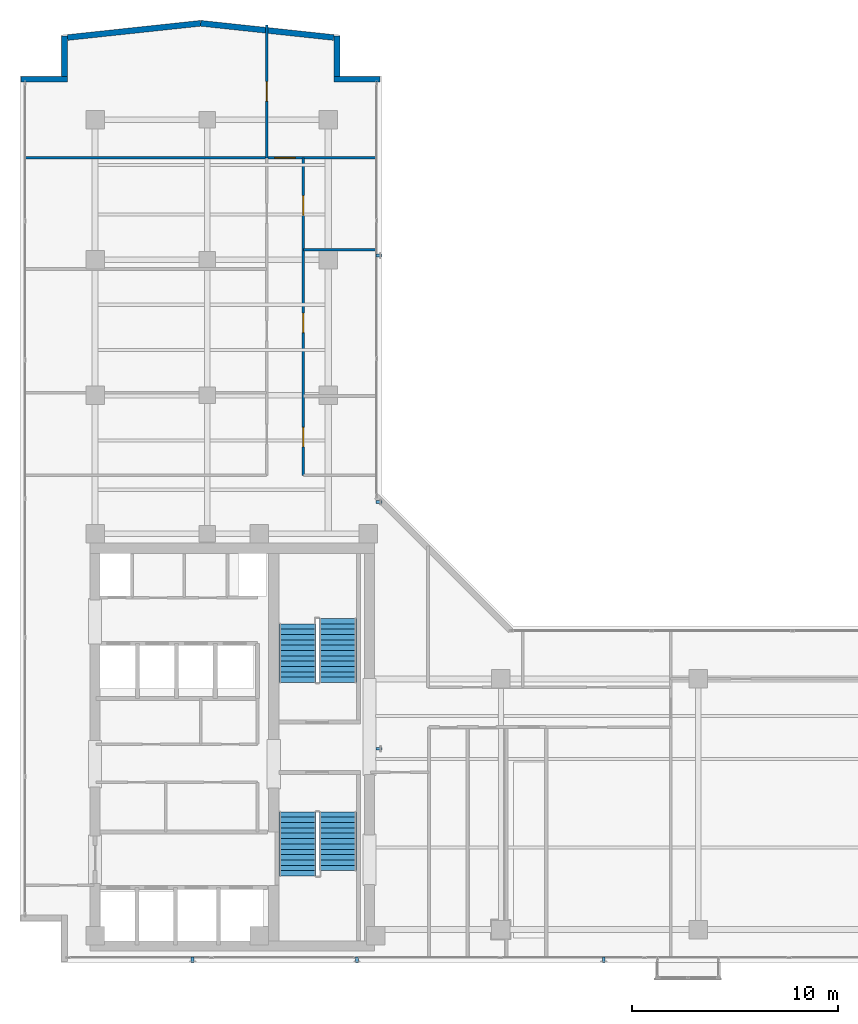
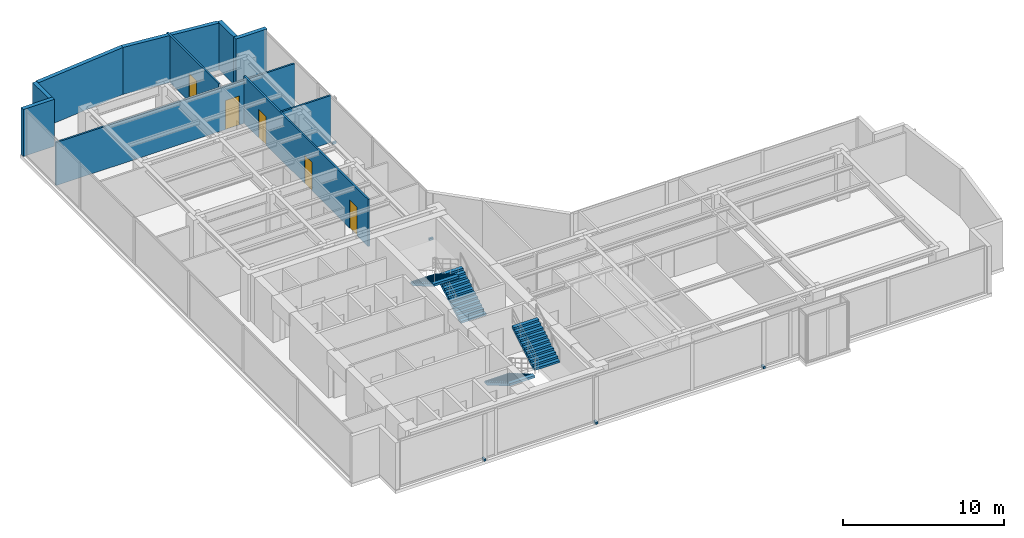
# One storey, part 19 of 23: 10 walls, 6 discrete accessories, 5 doors, 4 stair flights, 5 openings, 2 elements without a shape of their own.
"""IFC4 building model written with IfcOpenShell, lengths in metres."""

from ifc_helpers import new_model, si_unit, direction, frame, frame_2d, origin, origin_with_axes, origin_2d, place, context, subcontext, project, spatial, polyline, rectangle, outline, extrude, source, transform, mapped, material, layer, layer_set, type_object, element, fill, aggregate, save


model = new_model("IFC4")

# Units and contexts
model_context = context("Model", 3, precision=1e-05, world=origin(), true_north=direction((0.0, 1.0)))
body_context = subcontext(model_context, "Body", "Model", "MODEL_VIEW")
ifc_project = project(units=[si_unit("LENGTHUNIT", "METRE"), si_unit("AREAUNIT", "SQUARE_METRE"), si_unit("VOLUMEUNIT", "CUBIC_METRE"), si_unit("PLANEANGLEUNIT", "RADIAN"), si_unit("MASSUNIT", "GRAM", prefix="KILO")], contexts=[model_context])

# Site, building, storey
site_placement = place(None, origin())
site = spatial("IfcSite", under=ifc_project, at=site_placement, CompositionType="ELEMENT")
building_placement = place(site_placement, origin())
building = spatial("IfcBuilding", under=site, at=building_placement, Name="Kolvaren Waterfront Exchange", CompositionType="ELEMENT")
storey_placement = place(building_placement, frame((0.0, 0.0, 270.39990234375)))
storey = spatial("IfcBuildingStorey", under=building, at=storey_placement, Name="L69", CompositionType="ELEMENT", Elevation=270.39990234375)

# Walls
ifc_material_1 = material(Name="Precast concrete C40/50", Category="concrete")
ifc_layer_1 = layer(ifc_material_1, 0.280029296875, Name="Precast concrete C40/50")
ifc_layer_set_1 = layer_set([ifc_layer_1], Name="Precast concrete C40/50")
wall_type_1 = type_object("IfcWallType", Name="ARC-EXT-TERR-280", PredefinedType="SOLIDWALL", material=ifc_layer_set_1)
wall_1_placement = place(storey_placement, frame((19.078857421875, 46.56640625, 0.0), z_axis=(0.0, 0.0, 1.0), x_axis=(1.0, 0.0, 0.0)))
element("IfcWall", 1, at=wall_1_placement, inside=storey, type_object=wall_type_1, Name="L69 notched corner spandrel pier NNE-A", PredefinedType="SOLIDWALL", context=body_context, shape_type="SweptSolid", body=[
    extrude(rectangle(XDim=2.239990234375, YDim=0.280029296875, at=frame_2d((1.1201171875, 0.0))), origin(), (0.0, 0.0, 1.0), 3.56005859375),
])
wall_2_placement = place(storey_placement, frame((19.218994140625, 46.706298828125, 0.0), z_axis=(0.0, 0.0, 1.0), x_axis=(0.0, 1.0, 0.0)))
element("IfcWall", 2, at=wall_2_placement, inside=storey, type_object=wall_type_1, Name="L69 notched corner spandrel pier NNE-B", PredefinedType="SOLIDWALL", context=body_context, shape_type="SweptSolid", body=[
    extrude(rectangle(XDim=1.9599609375, YDim=0.280029296875, at=frame_2d((0.97998046875, 0.0))), origin(), (0.0, 0.0, 1.0), 3.56005859375),
])
wall_3_placement = place(storey_placement, frame((3.860107421875, 46.56640625, 0.0), z_axis=(0.0, 0.0, 1.0), x_axis=(1.0, 0.0, 0.0)))
element("IfcWall", 3, at=wall_3_placement, inside=storey, type_object=wall_type_1, Name="L69 notched corner spandrel pier NW-A", PredefinedType="SOLIDWALL", context=body_context, shape_type="SweptSolid", body=[
    extrude(rectangle(XDim=2.239990234375, YDim=0.280029296875, at=frame_2d((1.1201171875, 0.0))), origin(), (0.0, 0.0, 1.0), 3.56005859375),
])
wall_4_placement = place(storey_placement, frame((5.9599609375, 46.706298828125, 0.0), z_axis=(0.0, 0.0, 1.0), x_axis=(0.0, 1.0, 0.0)))
element("IfcWall", 4, at=wall_4_placement, inside=storey, type_object=wall_type_1, Name="L69 notched corner spandrel pier NW-B", PredefinedType="SOLIDWALL", context=body_context, shape_type="SweptSolid", body=[
    extrude(rectangle(XDim=1.9599609375, YDim=0.280029296875, at=frame_2d((0.97998046875, 0.0))), origin(), (0.0, 0.0, 1.0), 3.56005859375),
])
wall_5_placement = place(storey_placement, frame((19.063720703125, 48.59912109375, 0.0), z_axis=(0.0, 0.0, 1.0), x_axis=(-0.994325178593, 0.106383453672, 0.0)))
element("IfcWall", 5, at=wall_5_placement, inside=storey, type_object=wall_type_1, Name="L69 north prow faceted facade wall 1", PredefinedType="SOLIDWALL", context=body_context, shape_type="SweptSolid", body=[
    extrude(rectangle(XDim=6.50830078125, YDim=0.280029296875, at=frame_2d((3.254150390625, 0.0))), origin(), (0.0, 0.0, 1.0), 3.56005859375),
])
wall_6_placement = place(storey_placement, frame((12.58642578125, 49.29150390625, 0.0), z_axis=(0.0, 0.0, 1.0), x_axis=(-0.994324754032, -0.106387421808, 0.0)))
element("IfcWall", 6, at=wall_6_placement, inside=storey, type_object=wall_type_1, Name="L69 north prow faceted facade wall 2", PredefinedType="SOLIDWALL", context=body_context, shape_type="SweptSolid", body=[
    extrude(rectangle(XDim=6.508056640625, YDim=0.280029296875, at=frame_2d((3.25390625, 0.0))), origin(), (0.0, 0.0, 1.0), 3.56005859375),
])

# Wall, opening, door
ifc_material_2 = material(Name="Acoustic gypsum steel stud", Category="steel")
ifc_layer_2 = layer(ifc_material_2, 0.125, Name="Acoustic gypsum steel stud")
ifc_layer_set_2 = layer_set([ifc_layer_2], Name="Acoustic gypsum steel stud")
wall_type_2 = type_object("IfcWallType", Name="ARC-PART-125", PredefinedType="PARTITIONING", material=ifc_layer_set_2)
wall_7_placement = place(storey_placement, frame((4.0400390625, 42.75, 0.0), z_axis=(0.0, 0.0, 1.0), x_axis=(1.0, 0.0, 0.0)))
wall_7 = element("IfcWall", 7, at=wall_7_placement, inside=storey, type_object=wall_type_2, Name="L69 interior wall PW-L69-NTIP-S", PredefinedType="PARTITIONING", context=body_context, shape_type="SweptSolid", body=[
    extrude(rectangle(XDim=17.119873046875, YDim=0.125, at=frame_2d((8.56005859375, 0.0))), origin(), (0.0, 0.0, 1.0), 3.260009765625),
])
opening_1_placement = place(wall_7_placement, frame((12.14990234375, 0.0, 0.0)))
opening_1 = element("IfcOpeningElement", 8, at=opening_1_placement, cuts=wall_7, Name="Opening D03", PredefinedType="OPENING", context=body_context, shape_type="SweptSolid", body=[
    extrude(rectangle(XDim=1.0, YDim=2.199951171875, at=frame_2d((0.5, 1.10009765625))), frame((0.0, 0.072509765625, 0.0), z_axis=(0.0, -1.0, 0.0), x_axis=(1.0, 0.0, 0.0)), (0.0, 0.0, 1.0), 0.14501953125),
])
ifc_material_3 = material(Name="Oak veneer accessible timber", Category="wood")
door_type_1 = type_object("IfcDoorType", Name="ARC-DR-1000", OperationType="NOTDEFINED", PredefinedType="DOOR", material=ifc_material_3)
door_1_placement = place(opening_1_placement, origin())
door_1 = element("IfcDoor", 9, at=door_1_placement, inside=storey, type_object=door_type_1, Name="L69 door DR-L69-NTIPE-D (D03)", OperationType="SINGLE_SWING_RIGHT", OverallHeight=2.199951171875, OverallWidth=1.0, PredefinedType="DOOR", context=body_context, shape_type="SweptSolid", body=[
    extrude(rectangle(XDim=1.0, YDim=2.199951171875, at=frame_2d((0.5, 1.10009765625))), frame((0.0, 0.02490234375, 0.0), z_axis=(0.0, -1.0, 0.0), x_axis=(1.0, 0.0, 0.0)), (0.0, 0.0, 1.0), 0.050048828125),
])
fill(opening_1, door_1)

wall_8_placement = place(storey_placement, frame((15.800048828125, 42.75, 0.0), z_axis=(0.0, 0.0, 1.0), x_axis=(0.0, 1.0, 0.0)))
wall_8 = element("IfcWall", 10, at=wall_8_placement, inside=storey, type_object=wall_type_2, Name="L69 interior wall PW-L69-NTIP-DIV", PredefinedType="PARTITIONING", context=body_context, shape_type="SweptSolid", body=[
    extrude(rectangle(XDim=6.462646484375, YDim=0.125, at=frame_2d((3.2314453125, 0.0))), origin(), (0.0, 0.0, 1.0), 3.56005859375),
])
opening_2_placement = place(wall_8_placement, frame((2.751220703125, 0.0, 0.0)))
opening_2 = element("IfcOpeningElement", 11, at=opening_2_placement, cuts=wall_8, Name="Opening D02", PredefinedType="OPENING", context=body_context, shape_type="SweptSolid", body=[
    extrude(rectangle(XDim=0.949951171875, YDim=2.14990234375, at=frame_2d((0.47509765625, 1.074951171875))), frame((0.0, 0.072509765625, 0.0), z_axis=(0.0, -1.0, 0.0), x_axis=(1.0, 0.0, 0.0)), (0.0, 0.0, 1.0), 0.14501953125),
])
ifc_material_4 = material(Name="Oak veneer acoustic timber", Category="wood")
door_type_2 = type_object("IfcDoorType", Name="ARC-DR-950", OperationType="NOTDEFINED", PredefinedType="DOOR", material=ifc_material_4)
door_2_placement = place(opening_2_placement, origin())
door_2 = element("IfcDoor", 12, at=door_2_placement, inside=storey, type_object=door_type_2, Name="L69 door DR-L69-NTIPW-D (D02)", OperationType="SINGLE_SWING_LEFT", OverallHeight=2.14990234375, OverallWidth=0.949951171875, PredefinedType="DOOR", context=body_context, shape_type="SweptSolid", body=[
    extrude(rectangle(XDim=0.949951171875, YDim=2.14990234375, at=frame_2d((0.47509765625, 1.074951171875))), frame((0.0, 0.02490234375, 0.0), z_axis=(0.0, -1.0, 0.0), x_axis=(1.0, 0.0, 0.0)), (0.0, 0.0, 1.0), 0.050048828125),
])
fill(opening_2, door_2)

# Wall, openings, doors
wall_9_placement = place(storey_placement, frame((17.580078125, 27.300048828125, 0.0), z_axis=(0.0, 0.0, 1.0), x_axis=(0.0, 1.0, 0.0)))
wall_9 = element("IfcWall", 13, at=wall_9_placement, inside=storey, type_object=wall_type_2, Name="L69 interior wall PW-L69-NE-CORR", PredefinedType="PARTITIONING", context=body_context, shape_type="SweptSolid", body=[
    extrude(rectangle(XDim=15.449951171875, YDim=0.125, at=frame_2d((7.72509765625, 0.0))), origin(), (0.0, 0.0, 1.0), 3.56005859375),
])
opening_3_placement = place(wall_9_placement, frame((1.384765625, 0.0, 0.0)))
opening_3 = element("IfcOpeningElement", 14, at=opening_3_placement, cuts=wall_9, Name="Opening D02", PredefinedType="OPENING", context=body_context, shape_type="SweptSolid", body=[
    extrude(rectangle(XDim=0.949951171875, YDim=2.14990234375, at=frame_2d((0.47509765625, 1.074951171875))), frame((0.0, 0.072509765625, 0.0), z_axis=(0.0, -1.0, 0.0), x_axis=(1.0, 0.0, 0.0)), (0.0, 0.0, 1.0), 0.14501953125),
])
opening_4_placement = place(wall_9_placement, frame((6.93994140625, 0.0, 0.0)))
opening_4 = element("IfcOpeningElement", 15, at=opening_4_placement, cuts=wall_9, Name="Opening D02", PredefinedType="OPENING", context=body_context, shape_type="SweptSolid", body=[
    extrude(rectangle(XDim=0.949951171875, YDim=2.14990234375, at=frame_2d((0.47509765625, 1.074951171875))), frame((0.0, 0.072509765625, 0.0), z_axis=(0.0, -1.0, 0.0), x_axis=(1.0, 0.0, 0.0)), (0.0, 0.0, 1.0), 0.14501953125),
])
opening_5_placement = place(wall_9_placement, frame((12.6630859375, 0.0, 0.0)))
opening_5 = element("IfcOpeningElement", 16, at=opening_5_placement, cuts=wall_9, Name="Opening D02", PredefinedType="OPENING", context=body_context, shape_type="SweptSolid", body=[
    extrude(rectangle(XDim=0.949951171875, YDim=2.14990234375, at=frame_2d((0.47509765625, 1.074951171875))), frame((0.0, 0.072509765625, 0.0), z_axis=(0.0, -1.0, 0.0), x_axis=(1.0, 0.0, 0.0)), (0.0, 0.0, 1.0), 0.14501953125),
])
door_3_placement = place(opening_3_placement, origin())
door_3 = element("IfcDoor", 17, at=door_3_placement, inside=storey, type_object=door_type_2, Name="L69 door DR-L69-NE-D-1 (D02)", OperationType="SINGLE_SWING_RIGHT", OverallHeight=2.14990234375, OverallWidth=0.949951171875, PredefinedType="DOOR", context=body_context, shape_type="SweptSolid", body=[
    extrude(rectangle(XDim=0.949951171875, YDim=2.14990234375, at=frame_2d((0.47509765625, 1.074951171875))), frame((0.0, 0.02490234375, 0.0), z_axis=(0.0, -1.0, 0.0), x_axis=(1.0, 0.0, 0.0)), (0.0, 0.0, 1.0), 0.050048828125),
])
fill(opening_3, door_3)
door_4_placement = place(opening_4_placement, origin())
door_4 = element("IfcDoor", 18, at=door_4_placement, inside=storey, type_object=door_type_2, Name="L69 door DR-L69-NE-D-2 (D02)", OperationType="SINGLE_SWING_LEFT", OverallHeight=2.14990234375, OverallWidth=0.949951171875, PredefinedType="DOOR", context=body_context, shape_type="SweptSolid", body=[
    extrude(rectangle(XDim=0.949951171875, YDim=2.14990234375, at=frame_2d((0.47509765625, 1.074951171875))), frame((0.0, 0.02490234375, 0.0), z_axis=(0.0, -1.0, 0.0), x_axis=(1.0, 0.0, 0.0)), (0.0, 0.0, 1.0), 0.050048828125),
])
fill(opening_4, door_4)
door_5_placement = place(opening_5_placement, origin())
door_5 = element("IfcDoor", 19, at=door_5_placement, inside=storey, type_object=door_type_2, Name="L69 door DR-L69-NE-D-3 (D02)", OperationType="SINGLE_SWING_RIGHT", OverallHeight=2.14990234375, OverallWidth=0.949951171875, PredefinedType="DOOR", context=body_context, shape_type="SweptSolid", body=[
    extrude(rectangle(XDim=0.949951171875, YDim=2.14990234375, at=frame_2d((0.47509765625, 1.074951171875))), frame((0.0, 0.02490234375, 0.0), z_axis=(0.0, -1.0, 0.0), x_axis=(1.0, 0.0, 0.0)), (0.0, 0.0, 1.0), 0.050048828125),
])
fill(opening_5, door_5)

# Wall
wall_10_placement = place(storey_placement, frame((17.580078125, 38.27001953125, 0.0), z_axis=(0.0, 0.0, 1.0), x_axis=(1.0, 0.0, 0.0)))
element("IfcWall", 20, at=wall_10_placement, inside=storey, type_object=wall_type_2, Name="L69 interior wall PW-L69-NE-DIV-2", PredefinedType="PARTITIONING", context=body_context, shape_type="SweptSolid", body=[
    extrude(rectangle(XDim=3.579833984375, YDim=0.125, at=frame_2d((1.7900390625, 0.0))), origin(), (0.0, 0.0, 1.0), 3.56005859375),
])

# Stair, stair flights
ifc_material_5 = material(Name="Concrete C40/50", Category="concrete")
stair_type = type_object("IfcStairType", Name="ARC-STAIR-3800", PredefinedType="HALF_TURN_STAIR", material=ifc_material_5)
stair_1_placement = place(storey_placement, origin())
stair_1 = element("IfcStair", 21, at=stair_1_placement, inside=storey, type_object=stair_type, Name="L69 Smoke-proof exit stair ST1", PredefinedType="HALF_TURN_STAIR")
stair_flight_type = type_object("IfcStairFlightType", Name="ARC-FLIGHT-3800", PredefinedType="STRAIGHT", material=ifc_material_5)
stair_flight_1_placement = place(storey_placement, frame((17.300048828125, 10.929931640625, 0.0), z_axis=(0.0, 0.0, 1.0), x_axis=(0.0, -1.0, 0.0)))
stair_flight_1 = element("IfcStairFlight", 22, at=stair_flight_1_placement, type_object=stair_flight_type, Name="ST1 flight 1", NumberOfRisers=13, NumberOfTreads=12, PredefinedType="STRAIGHT", RiserHeight=0.152, TreadLength=0.26, context=body_context, shape_type="SweptSolid", body=[
    extrude(outline(polyline([(0.0, 0.0), (0.0, 0.152099609375), (0.260009765625, 0.152099609375), (0.260009765625, 0.303955078125), (0.52001953125, 0.303955078125), (0.52001953125, 0.4560546875), (0.780029296875, 0.4560546875), (0.780029296875, 0.60791015625), (1.0400390625, 0.60791015625), (1.0400390625, 0.760009765625), (1.300048828125, 0.760009765625), (1.300048828125, 0.912109375), (1.56005859375, 0.912109375), (1.56005859375, 1.06396484375), (1.820068359375, 1.06396484375), (1.820068359375, 1.216064453125), (2.080078125, 1.216064453125), (2.080078125, 1.367919921875), (2.340087890625, 1.367919921875), (2.340087890625, 1.52001953125), (2.60009765625, 1.52001953125), (2.60009765625, 1.672119140625), (2.860107421875, 1.672119140625), (2.860107421875, 1.823974609375), (3.1201171875, 1.823974609375), (3.1201171875, 1.97607421875), (3.1201171875, 1.650390625), (0.297119140625, 0.0), (0.0, 0.0)])), frame((0.0, 0.89990234375, 0.0), z_axis=(0.0, -1.0, 0.0), x_axis=(1.0, 0.0, 0.0)), (0.0, 0.0, 1.0), 1.800048828125),
])
stair_flight_2_placement = place(storey_placement, frame((19.260009765625, 8.070068359375, 1.97607421875), z_axis=(0.0, 0.0, 1.0), x_axis=(0.0, 1.0, 0.0)))
stair_flight_2 = element("IfcStairFlight", 23, at=stair_flight_2_placement, type_object=stair_flight_type, Name="ST1 flight 2", NumberOfRisers=12, NumberOfTreads=11, PredefinedType="STRAIGHT", RiserHeight=0.152, TreadLength=0.26, context=body_context, shape_type="SweptSolid", body=[
    extrude(outline(polyline([(0.0, 0.0), (0.0, 0.152099609375), (0.260009765625, 0.152099609375), (0.260009765625, 0.303955078125), (0.52001953125, 0.303955078125), (0.52001953125, 0.4560546875), (0.780029296875, 0.4560546875), (0.780029296875, 0.60791015625), (1.0400390625, 0.60791015625), (1.0400390625, 0.760009765625), (1.300048828125, 0.760009765625), (1.300048828125, 0.912109375), (1.56005859375, 0.912109375), (1.56005859375, 1.06396484375), (1.820068359375, 1.06396484375), (1.820068359375, 1.216064453125), (2.080078125, 1.216064453125), (2.080078125, 1.367919921875), (2.340087890625, 1.367919921875), (2.340087890625, 1.52001953125), (2.60009765625, 1.52001953125), (2.60009765625, 1.672119140625), (2.860107421875, 1.672119140625), (2.860107421875, 1.823974609375), (2.860107421875, 1.498291015625), (0.297119140625, 0.0), (0.0, 0.0)])), frame((0.0, 0.89990234375, 0.0), z_axis=(0.0, -1.0, 0.0), x_axis=(1.0, 0.0, 0.0)), (0.0, 0.0, 1.0), 1.800048828125),
])
aggregate(stair_1, [stair_flight_1, stair_flight_2])

stair_2_placement = place(storey_placement, origin())
stair_2 = element("IfcStair", 24, at=stair_2_placement, inside=storey, type_object=stair_type, Name="L69 Smoke-proof exit stair ST2", PredefinedType="HALF_TURN_STAIR")
stair_flight_3_placement = place(storey_placement, frame((19.260009765625, 17.219970703125, 0.0), z_axis=(0.0, 0.0, 1.0), x_axis=(0.0, 1.0, 0.0)))
stair_flight_3 = element("IfcStairFlight", 25, at=stair_flight_3_placement, type_object=stair_flight_type, Name="ST2 flight 1", NumberOfRisers=13, NumberOfTreads=12, PredefinedType="STRAIGHT", RiserHeight=0.152, TreadLength=0.26, context=body_context, shape_type="SweptSolid", body=[
    extrude(outline(polyline([(0.0, 0.0), (0.0, 0.152099609375), (0.260009765625, 0.152099609375), (0.260009765625, 0.303955078125), (0.52001953125, 0.303955078125), (0.52001953125, 0.4560546875), (0.780029296875, 0.4560546875), (0.780029296875, 0.60791015625), (1.0400390625, 0.60791015625), (1.0400390625, 0.760009765625), (1.300048828125, 0.760009765625), (1.300048828125, 0.912109375), (1.56005859375, 0.912109375), (1.56005859375, 1.06396484375), (1.820068359375, 1.06396484375), (1.820068359375, 1.216064453125), (2.080078125, 1.216064453125), (2.080078125, 1.367919921875), (2.340087890625, 1.367919921875), (2.340087890625, 1.52001953125), (2.60009765625, 1.52001953125), (2.60009765625, 1.672119140625), (2.860107421875, 1.672119140625), (2.860107421875, 1.823974609375), (3.1201171875, 1.823974609375), (3.1201171875, 1.97607421875), (3.1201171875, 1.650390625), (0.297119140625, 0.0), (0.0, 0.0)])), frame((0.0, 0.89990234375, 0.0), z_axis=(0.0, -1.0, 0.0), x_axis=(1.0, 0.0, 0.0)), (0.0, 0.0, 1.0), 1.800048828125),
])
stair_flight_4_placement = place(storey_placement, frame((17.300048828125, 20.080078125, 1.97607421875), z_axis=(0.0, 0.0, 1.0), x_axis=(0.0, -1.0, 0.0)))
stair_flight_4 = element("IfcStairFlight", 26, at=stair_flight_4_placement, type_object=stair_flight_type, Name="ST2 flight 2", NumberOfRisers=12, NumberOfTreads=11, PredefinedType="STRAIGHT", RiserHeight=0.152, TreadLength=0.26, context=body_context, shape_type="SweptSolid", body=[
    extrude(outline(polyline([(0.0, 0.0), (0.0, 0.152099609375), (0.260009765625, 0.152099609375), (0.260009765625, 0.303955078125), (0.52001953125, 0.303955078125), (0.52001953125, 0.4560546875), (0.780029296875, 0.4560546875), (0.780029296875, 0.60791015625), (1.0400390625, 0.60791015625), (1.0400390625, 0.760009765625), (1.300048828125, 0.760009765625), (1.300048828125, 0.912109375), (1.56005859375, 0.912109375), (1.56005859375, 1.06396484375), (1.820068359375, 1.06396484375), (1.820068359375, 1.216064453125), (2.080078125, 1.216064453125), (2.080078125, 1.367919921875), (2.340087890625, 1.367919921875), (2.340087890625, 1.52001953125), (2.60009765625, 1.52001953125), (2.60009765625, 1.672119140625), (2.860107421875, 1.672119140625), (2.860107421875, 1.823974609375), (2.860107421875, 1.498291015625), (0.297119140625, 0.0), (0.0, 0.0)])), frame((0.0, 0.89990234375, 0.0), z_axis=(0.0, -1.0, 0.0), x_axis=(1.0, 0.0, 0.0)), (0.0, 0.0, 1.0), 1.800048828125),
])
aggregate(stair_2, [stair_flight_3, stair_flight_4])

# Discrete accessories
ifc_material_6 = material(Name="Stainless steel 316", Category="steel")
discrete_accessory_type = type_object("IfcDiscreteAccessoryType", Name="ARC-BRK-FIN", PredefinedType="BRACKET", material=ifc_material_6)
shared_shape = source(origin_with_axes(), body_context, "Body", "SweptSolid", [
    extrude(rectangle(XDim=0.280029296875, YDim=0.139892578125, at=origin_2d()), origin(), (0.0, 0.0, 1.0), 0.159912109375),
])
for number, where, z_axis, x_axis, name in (
    (27, (12.199951171875, 3.719970703125, 0.0), (0.0, 0.0, 1.0), (0.0, -1.0, 0.0), "L69 bronze fin anchor bracket FIN-L69-S1"),
    (28, (20.199951171875, 3.719970703125, 0.0), (0.0, 0.0, 1.0), (0.0, -1.0, 0.0), "L69 bronze fin anchor bracket FIN-L69-S2"),
    (29, (32.199951171875, 3.719970703125, 0.0), (0.0, 0.0, 1.0), (0.0, -1.0, 0.0), "L69 bronze fin anchor bracket FIN-L69-S3"),
    (30, (21.2587890625, 14.0, 0.0), (0.0, 0.0, 1.0), (1.0, 0.0, 0.0), "L69 bronze fin anchor bracket FIN-L69-E1"),
    (31, (21.2587890625, 26.0, 0.0), (0.0, 0.0, 1.0), (1.0, 0.0, 0.0), "L69 bronze fin anchor bracket FIN-L69-E2"),
    (32, (21.2587890625, 38.0, 0.0), (0.0, 0.0, 1.0), (1.0, 0.0, 0.0), "L69 bronze fin anchor bracket FIN-L69-E3"),
):
    element("IfcDiscreteAccessory", number, at=place(storey_placement, frame(where, z_axis=z_axis, x_axis=x_axis)), inside=storey, type_object=discrete_accessory_type, Name=name, PredefinedType="BRACKET", context=body_context, shape_type="MappedRepresentation", body=[
        mapped(shared_shape, transform((0.0, 0.0, 0.0), x_axis=(1.0, 0.0, 0.0), y_axis=(0.0, 1.0, 0.0), z_axis=(0.0, 0.0, 1.0), scale=1.0)),
    ])

save(model, "model.ifc")
